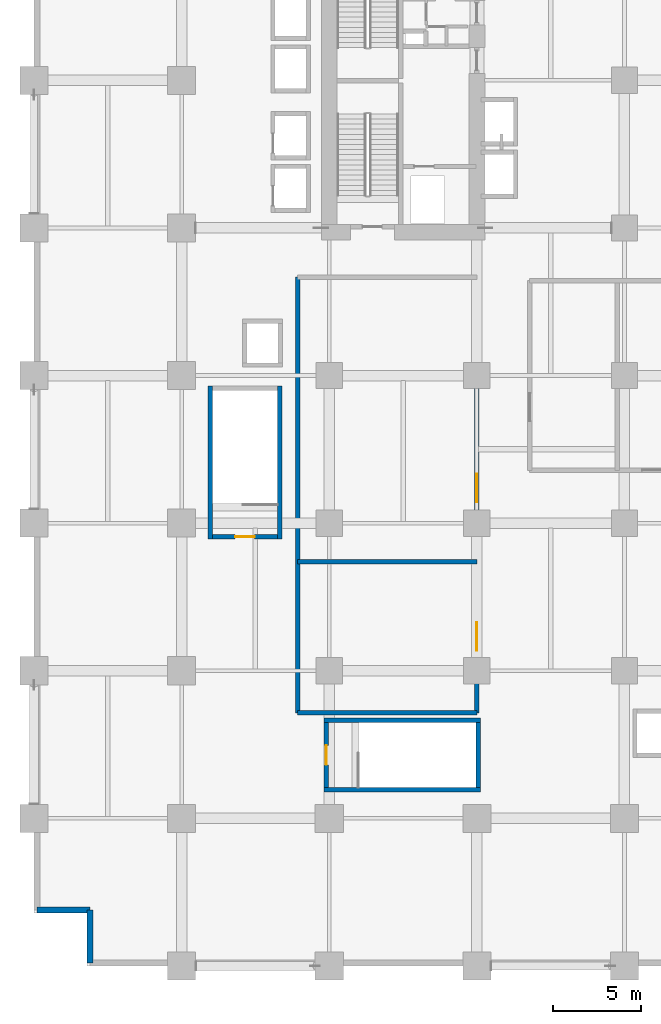
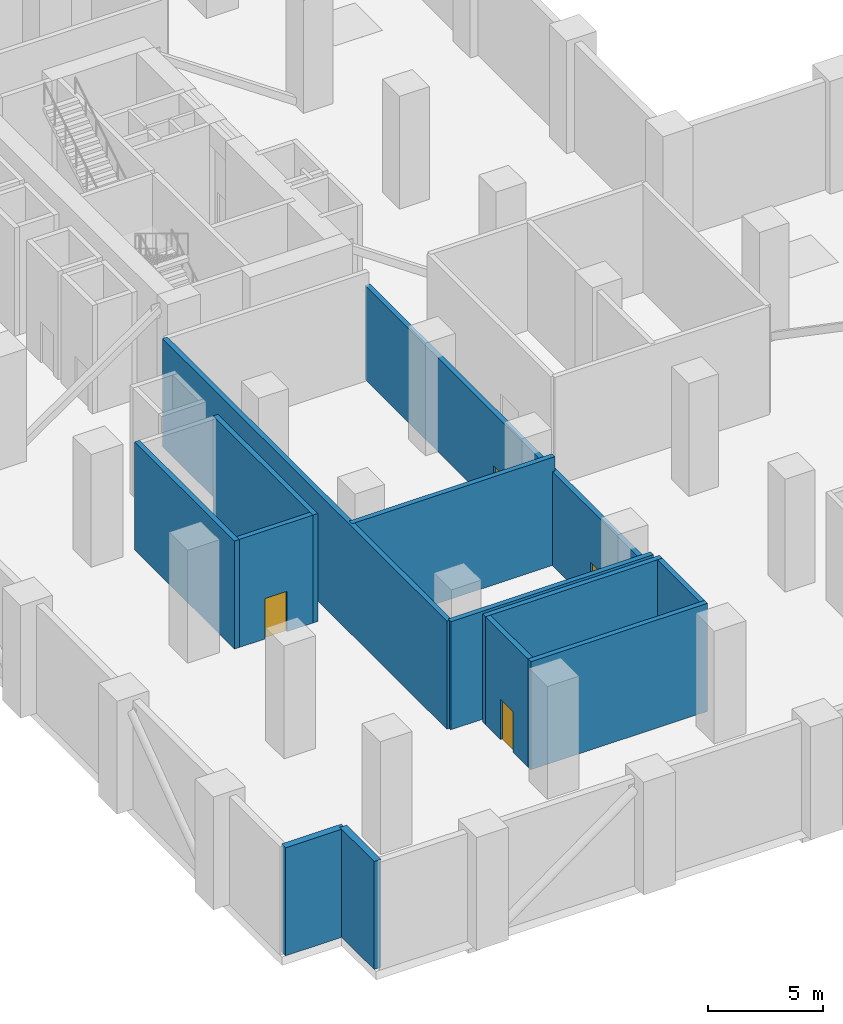
# One storey, part 12 of 20: 13 walls, 4 doors, 4 openings.
"""IFC4 building model written with IfcOpenShell, lengths in metres."""

import ifcopenshell
import ifcopenshell.guid

model = None  # the IFC model being written
_history = None  # IfcOwnerHistory: only IFC2X3 demands one
_inside = {}  # id of a spatial element -> (the spatial element, [elements in it])
_under = {}  # id of a project, library or spatial element -> (it, [spatial elements below it])
_declared = {}  # id of a project -> (the project, [libraries it declares])
_typed = {}  # id of a type object -> (the type object, [elements of that type])
_made_of = {}  # id of a material, layer set ... -> (it, [elements and type objects made of it])


def new_model(schema):
    """Start an empty IFC model of exactly this schema.

    Asked for "IFC4X3", IfcOpenShell would pick the latest addendum, in which some entities
    have other attributes; the version numbers below select the first issue.
    IFC2X3 requires an IfcOwnerHistory on every rooted entity: one is made here for all.
    """
    global model, _history
    if schema == "IFC4X3":
        model = ifcopenshell.file(schema_version=(4, 3, 0, 0))
    else:
        model = ifcopenshell.file(schema=schema)
    _inside.clear()
    _under.clear()
    _declared.clear()
    _typed.clear()
    _made_of.clear()
    _history = None
    if model.schema == "IFC2X3":
        org = make("IfcOrganization", Name="unknown")
        user = make(
            "IfcPersonAndOrganization",
            ThePerson=make("IfcPerson", FamilyName="unknown"),
            TheOrganization=org,
        )
        app = make(
            "IfcApplication",
            ApplicationDeveloper=org,
            Version="unknown",
            ApplicationFullName="unknown",
            ApplicationIdentifier="unknown",
        )
        _history = make(
            "IfcOwnerHistory",
            OwningUser=user,
            OwningApplication=app,
            ChangeAction="ADDED",
            CreationDate=0,
        )
    return model


def make(cls, **values):
    """One entity of the class cls with the attributes given. An attribute that is None is left unset."""
    return model.create_entity(
        cls, **{name: value for name, value in values.items() if value is not None}
    )


def rooted(cls, **values):
    """An entity with a GlobalId (a new one), such as an element, a storey or a relation."""
    return make(cls, GlobalId=ifcopenshell.guid.new(), OwnerHistory=_history, **values)


def si_unit(unit_type, name, prefix=None):
    """IfcSIUnit, for example si_unit("LENGTHUNIT", "METRE", prefix="MILLI")."""
    return make("IfcSIUnit", UnitType=unit_type, Prefix=prefix, Name=name)


def assignment(units):
    """IfcUnitAssignment: the units of a project."""
    return None if units is None else make("IfcUnitAssignment", Units=units)


def point(xyz):
    """IfcCartesianPoint."""
    return None if xyz is None else make("IfcCartesianPoint", Coordinates=xyz)


def direction(xyz):
    """IfcDirection."""
    return None if xyz is None else make("IfcDirection", DirectionRatios=xyz)


def frame(location, z_axis=None, x_axis=None):
    """IfcAxis2Placement3D, a coordinate frame: its origin and axes. An axis left out is left unset."""
    return make(
        "IfcAxis2Placement3D",
        Location=point(location),
        Axis=direction(z_axis),
        RefDirection=direction(x_axis),
    )


def frame_2d(location, x_axis=None):
    """IfcAxis2Placement2D, a coordinate frame in the plane: its origin and x axis."""
    return make(
        "IfcAxis2Placement2D", Location=point(location), RefDirection=direction(x_axis)
    )


def origin():
    """The frame at (0, 0, 0) with its axes left unset."""
    return frame((0.0, 0.0, 0.0))


def place(relative_to, where):
    """IfcLocalPlacement: puts the frame where relative to a parent placement (None: the world)."""
    return make(
        "IfcLocalPlacement", PlacementRelTo=relative_to, RelativePlacement=where
    )


def context(
    kind, dimensions, precision=None, world=None, true_north=None, identifier=None
):
    """IfcGeometricRepresentationContext, for example the 3D "Model" context."""
    return make(
        "IfcGeometricRepresentationContext",
        ContextIdentifier=identifier,
        ContextType=kind,
        CoordinateSpaceDimension=dimensions,
        Precision=precision,
        WorldCoordinateSystem=world,
        TrueNorth=true_north,
    )


def subcontext(parent, identifier, kind, view, scale=None):
    """IfcGeometricRepresentationSubContext, for example "Body" below "Model"."""
    return make(
        "IfcGeometricRepresentationSubContext",
        ContextIdentifier=identifier,
        ContextType=kind,
        ParentContext=parent,
        TargetScale=scale,
        TargetView=view,
    )


def project(units=None, contexts=None):
    """IfcProject with its units and contexts."""
    return rooted(
        "IfcProject",
        Name="project",
        RepresentationContexts=contexts,
        UnitsInContext=assignment(units),
    )


def spatial(cls, under=None, at=None, **own):
    """A site, building, storey or space (cls), placed at a placement, below another one or the project."""
    s = rooted(cls, ObjectPlacement=at, **own)
    if under is not None:
        _under.setdefault(under.id(), (under, []))[1].append(s)
    return s


def profile(cls, at=None, kind="AREA", **sizes):
    """A parametric profile (cls). Its sizes go by their IFC names, for example OverallWidth=200.0."""
    return make(cls, ProfileType=kind, Position=at, **sizes)


def rectangle(**sizes):
    """IfcRectangleProfileDef."""
    return profile("IfcRectangleProfileDef", **sizes)


def extrude(swept, where, along, depth):
    """IfcExtrudedAreaSolid: the profile swept, set in the frame where, extruded along a direction by depth."""
    return make(
        "IfcExtrudedAreaSolid",
        SweptArea=swept,
        Position=where,
        ExtrudedDirection=direction(along),
        Depth=depth,
    )


def shape(context_of_items, identifier, shape_type, items):
    """IfcShapeRepresentation: the items that make up one representation, for example the "Body"."""
    return make(
        "IfcShapeRepresentation",
        ContextOfItems=context_of_items,
        RepresentationIdentifier=identifier,
        RepresentationType=shape_type,
        Items=items,
    )


def material(Name=None, Category=None):
    """IfcMaterial."""
    return make("IfcMaterial", Name=Name, Category=Category)


def layer(
    of_material, thickness, ventilated=None, Name=None, Category=None, Priority=None
):
    """IfcMaterialLayer: one layer of a wall or slab, of a material (None: an air gap)."""
    return make(
        "IfcMaterialLayer",
        Material=of_material,
        LayerThickness=thickness,
        IsVentilated=ventilated,
        Name=Name,
        Category=Category,
        Priority=Priority,
    )


def layer_set(layers, Name=None):
    """IfcMaterialLayerSet."""
    return make("IfcMaterialLayerSet", MaterialLayers=layers, LayerSetName=Name)


def made_of(thing, what):
    """Note that an element or type object is made of a material, layer set ...; save() writes the relation."""
    if what is not None:
        _made_of.setdefault(what.id(), (what, []))[1].append(thing)
    return thing


def type_object(cls, material=None, **own):
    """A type object (cls), such as IfcWallType, which elements share."""
    return made_of(rooted(cls, **own), material)


def element(
    cls,
    number,
    at=None,
    inside=None,
    cuts=None,
    type_object=None,
    material=None,
    context=None,
    identifier="Body",
    shape_type=None,
    held_by="IfcProductDefinitionShape",
    body=None,
    shapes=None,
    **own,
):
    """One element of the class cls, such as IfcWall. Its Tag is "e" and its number.

    at: its placement. inside: the storey or other place that contains it. cuts: it is an
    opening in that element (IfcRelVoidsElement). A single representation is given by context,
    identifier, shape_type and body (its items); several are given by shapes. held_by: the class
    of the entity that holds the representations. save() writes the other relations.
    """
    e = rooted(cls, Tag="e%d" % number, ObjectPlacement=at, **own)
    if body is not None:
        shapes = [shape(context, identifier, shape_type, body)]
    if shapes is not None:
        e.Representation = make(held_by, Representations=shapes)
    if inside is not None:
        _inside.setdefault(inside.id(), (inside, []))[1].append(e)
    if cuts is not None:
        rooted(
            "IfcRelVoidsElement", RelatingBuildingElement=cuts, RelatedOpeningElement=e
        )
    if type_object is not None:
        _typed.setdefault(type_object.id(), (type_object, []))[1].append(e)
    return made_of(e, material)


def fill(opening, filler):
    """IfcRelFillsElement: the door or window that sits in an opening."""
    return rooted(
        "IfcRelFillsElement",
        RelatingOpeningElement=opening,
        RelatedBuildingElement=filler,
    )


def aggregate(whole, parts):
    """IfcRelAggregates: a whole, such as a stair, and the parts it consists of."""
    return rooted("IfcRelAggregates", RelatingObject=whole, RelatedObjects=parts)


def save(model, path):
    """Write the relations noted so far, then the file.

    IfcRelAggregates (storeys below a building ...), IfcRelContainedInSpatialStructure (elements
    in a storey), IfcRelDefinesByType, IfcRelAssociatesMaterial and IfcRelDeclares: one each for
    every whole, place, type object, material and project.
    """
    for whole, parts in _under.values():
        aggregate(whole, parts)
    for where, things in _inside.values():
        rooted(
            "IfcRelContainedInSpatialStructure",
            RelatedElements=things,
            RelatingStructure=where,
        )
    for kind, things in _typed.values():
        rooted("IfcRelDefinesByType", RelatedObjects=things, RelatingType=kind)
    for what, things in _made_of.values():
        rooted("IfcRelAssociatesMaterial", RelatedObjects=things, RelatingMaterial=what)
    for by, libraries in _declared.values():
        rooted("IfcRelDeclares", RelatingContext=by, RelatedDefinitions=libraries)
    model.write(path)


model = new_model("IFC4")

# Units and contexts
model_context = context("Model", 3, precision=1e-05, world=origin(), true_north=direction((0.0, 1.0)))
body_context = subcontext(model_context, "Body", "Model", "MODEL_VIEW")
ifc_project = project(units=[si_unit("LENGTHUNIT", "METRE"), si_unit("AREAUNIT", "SQUARE_METRE"), si_unit("VOLUMEUNIT", "CUBIC_METRE"), si_unit("PLANEANGLEUNIT", "RADIAN"), si_unit("MASSUNIT", "GRAM", prefix="KILO")], contexts=[model_context])

# Site, building, storey
site_placement = place(None, origin())
site = spatial("IfcSite", under=ifc_project, at=site_placement, CompositionType="ELEMENT")
building_placement = place(site_placement, origin())
building = spatial("IfcBuilding", under=site, at=building_placement, Name="Koriwani Terraces Tower", CompositionType="ELEMENT")
storey_placement = place(building_placement, frame((0.0, 0.0, 26.0)))
storey = spatial("IfcBuildingStorey", under=building, at=storey_placement, Name="L05", CompositionType="ELEMENT", Elevation=26.0)

# Walls
ifc_material_1 = material(Name="Concrete C50/60", Category="concrete")
ifc_layer_1 = layer(ifc_material_1, 0.35009765625, Name="Concrete C50/60")
ifc_layer_set_1 = layer_set([ifc_layer_1], Name="Concrete C50/60")
wall_type_1 = type_object("IfcWallType", Name="WALL_EXT_BRUTALIST_350", PredefinedType="STANDARD", material=ifc_layer_set_1)
for number, where, z_axis, x_axis, name in (
    (1, (3.175048828125, 0.175048828125, 0.0), (0.0, 0.0, 1.0), (0.0, 1.0, 0.0), "L05 Fair-Faced Brutalist Exterior Wall (N0)"),
    (2, (3.175048828125, 3.175048828125, 0.0), (0.0, 0.0, 1.0), (-1.0, 0.0, 0.0), "L05 Fair-Faced Brutalist Exterior Wall (N1)"),
):
    element("IfcWall", number, at=place(storey_placement, frame(where, z_axis=z_axis, x_axis=x_axis)), inside=storey, type_object=wall_type_1, Name=name, PredefinedType="STANDARD", context=body_context, shape_type="SweptSolid", body=[
        extrude(rectangle(XDim=3.0, YDim=0.35009765625, at=frame_2d((1.5, 0.0))), origin(), (0.0, 0.0, 1.0), 5.75),
    ])
ifc_material_2 = material(Name="Concrete C40/50", Category="concrete")
ifc_layer_2 = layer(ifc_material_2, 0.25, Name="Concrete C40/50")
ifc_layer_set_2 = layer_set([ifc_layer_2], Name="Concrete C40/50")
wall_type_2 = type_object("IfcWallType", Name="WALL_SHAFT_RATED_250", PredefinedType="SOLIDWALL", material=ifc_layer_set_2)
for number, where, z_axis, x_axis, name in (
    (3, (10.02490234375, 24.300048828125, 0.0), (0.0, 0.0, 1.0), (0.0, 1.0, 0.0), "L05 Podium Stair ST-P1 West Bearing Wall"),
    (4, (13.97509765625, 24.300048828125, 0.0), (0.0, 0.0, 1.0), (0.0, 1.0, 0.0), "L05 Podium Stair ST-P1 East Bearing Wall"),
):
    element("IfcWall", number, at=place(storey_placement, frame(where, z_axis=z_axis, x_axis=x_axis)), inside=storey, type_object=wall_type_2, Name=name, PredefinedType="SOLIDWALL", context=body_context, shape_type="SweptSolid", body=[
        extrude(rectangle(XDim=8.699951171875, YDim=0.25, at=frame_2d((4.35009765625, 0.0))), origin(), (0.0, 0.0, 1.0), 5.75),
    ])
for number, where, z_axis, x_axis, name in (
    (5, (16.5, 10.02490234375, 0.0), (0.0, 0.0, 1.0), (1.0, 0.0, 0.0), "L05 Podium Stair ST-P2 South Bearing Wall"),
    (6, (16.5, 13.97509765625, 0.0), (0.0, 0.0, 1.0), (1.0, 0.0, 0.0), "L05 Podium Stair ST-P2 North Bearing Wall"),
):
    element("IfcWall", number, at=place(storey_placement, frame(where, z_axis=z_axis, x_axis=x_axis)), inside=storey, type_object=wall_type_2, Name=name, PredefinedType="SOLIDWALL", context=body_context, shape_type="SweptSolid", body=[
        extrude(rectangle(XDim=8.89990234375, YDim=0.25, at=frame_2d((4.449951171875, 0.0))), origin(), (0.0, 0.0, 1.0), 5.75),
    ])
wall_1_placement = place(storey_placement, frame((25.27490234375, 10.14990234375, 0.0), z_axis=(0.0, 0.0, 1.0), x_axis=(0.0, 1.0, 0.0)))
element("IfcWall", 7, at=wall_1_placement, inside=storey, type_object=wall_type_2, Name="L05 Podium Stair ST-P2 East Bearing Wall", PredefinedType="SOLIDWALL", context=body_context, shape_type="SweptSolid", body=[
    extrude(rectangle(XDim=3.7001953125, YDim=0.25, at=frame_2d((1.85009765625, 0.0))), origin(), (0.0, 0.0, 1.0), 5.75),
])

# Wall, opening, door
wall_2_placement = place(storey_placement, frame((10.14990234375, 24.425048828125, 0.0), z_axis=(0.0, 0.0, 1.0), x_axis=(1.0, 0.0, 0.0)))
wall_2 = element("IfcWall", 8, at=wall_2_placement, inside=storey, type_object=wall_type_2, Name="L05 Interior Wall WIN-STP1-L05-S", PredefinedType="SOLIDWALL", context=body_context, shape_type="SweptSolid", body=[
    extrude(rectangle(XDim=3.7001953125, YDim=0.25, at=frame_2d((1.85009765625, 0.0))), origin(), (0.0, 0.0, 1.0), 5.75),
])
opening_1_placement = place(wall_2_placement, frame((1.300048828125, 0.0, 0.0)))
opening_1 = element("IfcOpeningElement", 9, at=opening_1_placement, cuts=wall_2, Name="Opening D-03", PredefinedType="OPENING", context=body_context, shape_type="SweptSolid", body=[
    extrude(rectangle(XDim=1.10009765625, YDim=2.14990234375, at=frame_2d((0.550048828125, 1.074951171875))), frame((0.0, 0.135009765625, 0.0), z_axis=(0.0, -1.0, 0.0), x_axis=(1.0, 0.0, 0.0)), (0.0, 0.0, 1.0), 0.27001953125),
])
ifc_material_3 = material(Name="Steel ASTM A572 Grade 50", Category="steel")
door_type_1 = type_object("IfcDoorType", Name="DOOR_STAIR_FIRE_1100X2150", OperationType="NOTDEFINED", PredefinedType="DOOR", material=ifc_material_3)
door_1_placement = place(opening_1_placement, origin())
door_1 = element("IfcDoor", 10, at=door_1_placement, inside=storey, type_object=door_type_1, Name="L05 Podium Exit Stair ST-P1 Door", OperationType="SINGLE_SWING_LEFT", OverallHeight=2.14990234375, OverallWidth=1.10009765625, PredefinedType="DOOR", context=body_context, shape_type="SweptSolid", body=[
    extrude(rectangle(XDim=1.10009765625, YDim=2.14990234375, at=frame_2d((0.550048828125, 1.074951171875))), frame((0.0, 0.02490234375, 0.0), z_axis=(0.0, -1.0, 0.0), x_axis=(1.0, 0.0, 0.0)), (0.0, 0.0, 1.0), 0.050048828125),
])
fill(opening_1, door_1)

wall_3_placement = place(storey_placement, frame((16.625, 10.14990234375, 0.0), z_axis=(0.0, 0.0, 1.0), x_axis=(0.0, 1.0, 0.0)))
wall_3 = element("IfcWall", 11, at=wall_3_placement, inside=storey, type_object=wall_type_2, Name="L05 Interior Wall WIN-STP2-L05-W", PredefinedType="SOLIDWALL", context=body_context, shape_type="SweptSolid", body=[
    extrude(rectangle(XDim=3.7001953125, YDim=0.25, at=frame_2d((1.85009765625, 0.0))), origin(), (0.0, 0.0, 1.0), 5.75),
])
opening_2_placement = place(wall_3_placement, frame((1.300048828125, 0.0, 0.0)))
opening_2 = element("IfcOpeningElement", 12, at=opening_2_placement, cuts=wall_3, Name="Opening D-03", PredefinedType="OPENING", context=body_context, shape_type="SweptSolid", body=[
    extrude(rectangle(XDim=1.10009765625, YDim=2.14990234375, at=frame_2d((0.550048828125, 1.074951171875))), frame((0.0, 0.135009765625, 0.0), z_axis=(0.0, -1.0, 0.0), x_axis=(1.0, 0.0, 0.0)), (0.0, 0.0, 1.0), 0.27001953125),
])
door_2_placement = place(opening_2_placement, origin())
door_2 = element("IfcDoor", 13, at=door_2_placement, inside=storey, type_object=door_type_1, Name="L05 Podium Exit Stair ST-P2 Door", OperationType="SINGLE_SWING_RIGHT", OverallHeight=2.14990234375, OverallWidth=1.10009765625, PredefinedType="DOOR", context=body_context, shape_type="SweptSolid", body=[
    extrude(rectangle(XDim=1.10009765625, YDim=2.14990234375, at=frame_2d((0.550048828125, 1.074951171875))), frame((0.0, 0.02490234375, 0.0), z_axis=(0.0, -1.0, 0.0), x_axis=(1.0, 0.0, 0.0)), (0.0, 0.0, 1.0), 0.050048828125),
])
fill(opening_2, door_2)

# Wall, openings, doors
wall_4_placement = place(storey_placement, frame((25.199951171875, 14.39990234375, 0.0), z_axis=(0.0, 0.0, 1.0), x_axis=(0.0, 1.0, 0.0)))
wall_4 = element("IfcWall", 14, at=wall_4_placement, inside=storey, type_object=wall_type_2, Name="L05 Interior Wall WPL-L05-E", PredefinedType="SOLIDWALL", context=body_context, shape_type="SweptSolid", body=[
    extrude(rectangle(XDim=24.800048828125, YDim=0.25, at=frame_2d((12.39990234375, 0.0))), origin(), (0.0, 0.0, 1.0), 5.0),
])
opening_3_placement = place(wall_4_placement, frame((3.550048828125, 0.0, 0.0)))
opening_3 = element("IfcOpeningElement", 15, at=opening_3_placement, cuts=wall_4, Name="Opening D-08", PredefinedType="OPENING", context=body_context, shape_type="SweptSolid", body=[
    extrude(rectangle(XDim=1.60009765625, YDim=2.199951171875, at=frame_2d((0.800048828125, 1.10009765625))), frame((0.0, 0.135009765625, 0.0), z_axis=(0.0, -1.0, 0.0), x_axis=(1.0, 0.0, 0.0)), (0.0, 0.0, 1.0), 0.27001953125),
])
opening_4_placement = place(wall_4_placement, frame((12.0, 0.0, 0.0)))
opening_4 = element("IfcOpeningElement", 16, at=opening_4_placement, cuts=wall_4, Name="Opening D-08", PredefinedType="OPENING", context=body_context, shape_type="SweptSolid", body=[
    extrude(rectangle(XDim=1.60009765625, YDim=2.199951171875, at=frame_2d((0.800048828125, 1.10009765625))), frame((0.0, 0.135009765625, 0.0), z_axis=(0.0, -1.0, 0.0), x_axis=(1.0, 0.0, 0.0)), (0.0, 0.0, 1.0), 0.27001953125),
])
door_type_2 = type_object("IfcDoorType", Name="DOOR_PLANT_DOUBLE_1600X2200", OperationType="NOTDEFINED", PredefinedType="DOOR", material=ifc_material_3)
door_3_placement = place(opening_3_placement, origin())
door_3 = element("IfcDoor", 17, at=door_3_placement, inside=storey, type_object=door_type_2, Name="L05 Chiller Plant Room Door", OperationType="SINGLE_SWING_LEFT", OverallHeight=2.199951171875, OverallWidth=1.60009765625, PredefinedType="DOOR", context=body_context, shape_type="SweptSolid", body=[
    extrude(rectangle(XDim=1.60009765625, YDim=2.199951171875, at=frame_2d((0.800048828125, 1.10009765625))), frame((0.0, 0.02490234375, 0.0), z_axis=(0.0, -1.0, 0.0), x_axis=(1.0, 0.0, 0.0)), (0.0, 0.0, 1.0), 0.050048828125),
])
fill(opening_3, door_3)
door_4_placement = place(opening_4_placement, origin())
door_4 = element("IfcDoor", 18, at=door_4_placement, inside=storey, type_object=door_type_2, Name="L05 AHU Fan Room Door", OperationType="SINGLE_SWING_RIGHT", OverallHeight=2.199951171875, OverallWidth=1.60009765625, PredefinedType="DOOR", context=body_context, shape_type="SweptSolid", body=[
    extrude(rectangle(XDim=1.60009765625, YDim=2.199951171875, at=frame_2d((0.800048828125, 1.10009765625))), frame((0.0, 0.02490234375, 0.0), z_axis=(0.0, -1.0, 0.0), x_axis=(1.0, 0.0, 0.0)), (0.0, 0.0, 1.0), 0.050048828125),
])
fill(opening_4, door_4)

# Walls
wall_5_placement = place(storey_placement, frame((15.0, 14.39990234375, 0.0), z_axis=(0.0, 0.0, 1.0), x_axis=(0.0, 1.0, 0.0)))
element("IfcWall", 19, at=wall_5_placement, inside=storey, type_object=wall_type_2, Name="L05 Interior Wall WPL-L05-W", PredefinedType="SOLIDWALL", context=body_context, shape_type="SweptSolid", body=[
    extrude(rectangle(XDim=24.800048828125, YDim=0.25, at=frame_2d((12.39990234375, 0.0))), origin(), (0.0, 0.0, 1.0), 5.75),
])
for number, where, z_axis, x_axis, name in (
    (20, (15.0, 14.39990234375, 0.0), (0.0, 0.0, 1.0), (1.0, 0.0, 0.0), "L05 Interior Wall WPL-L05-S"),
    (21, (15.0, 23.0, 0.0), (0.0, 0.0, 1.0), (1.0, 0.0, 0.0), "L05 Interior Wall WPL-L05-M"),
):
    element("IfcWall", number, at=place(storey_placement, frame(where, z_axis=z_axis, x_axis=x_axis)), inside=storey, type_object=wall_type_2, Name=name, PredefinedType="SOLIDWALL", context=body_context, shape_type="SweptSolid", body=[
        extrude(rectangle(XDim=10.199951171875, YDim=0.25, at=frame_2d((5.10009765625, 0.0))), origin(), (0.0, 0.0, 1.0), 5.75),
    ])

save(model, "model.ifc")
